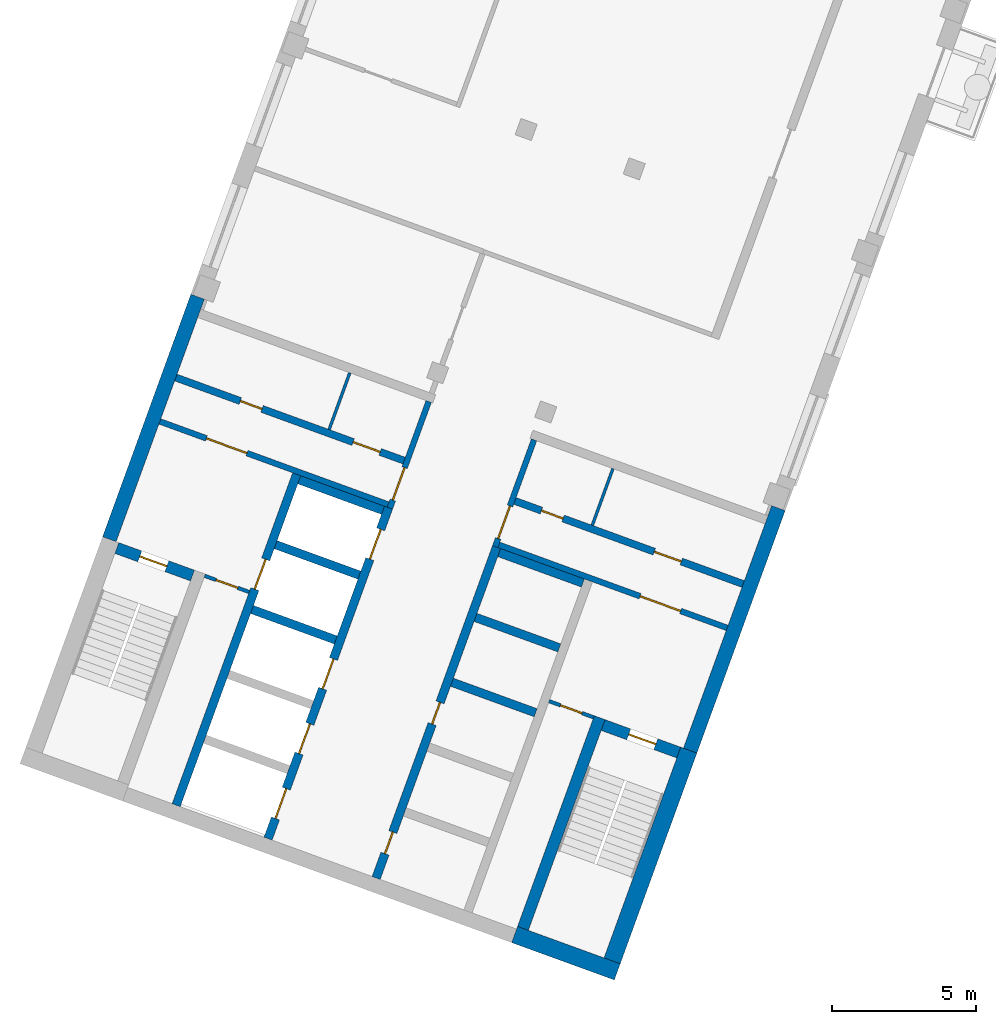
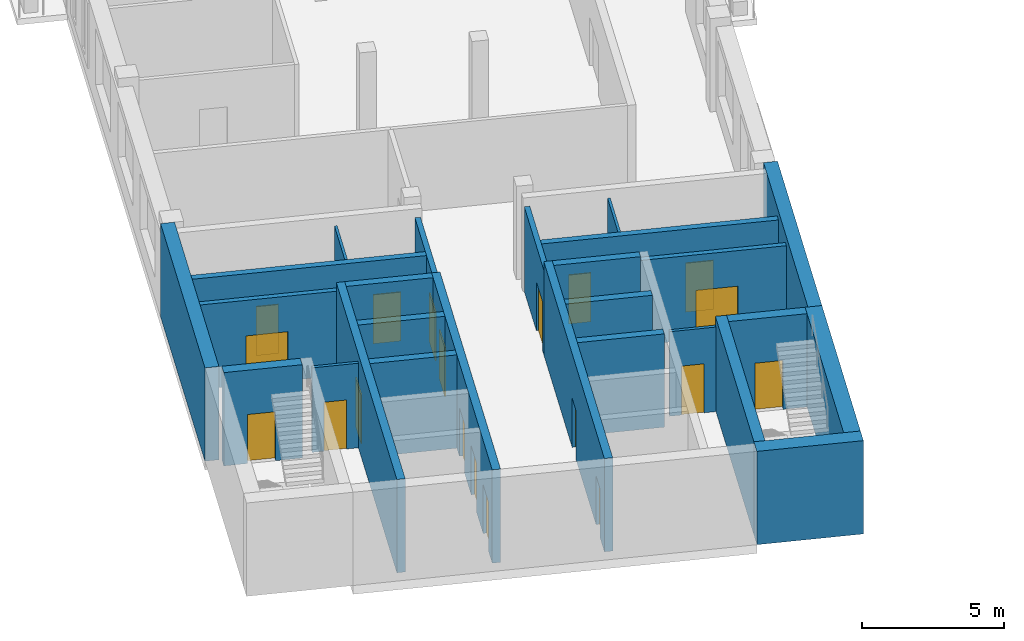
# One storey, part 2 of 10: 26 walls, 19 doors, 19 openings.
"""IFC4 building model written with IfcOpenShell, lengths in metres."""

from ifc_helpers import new_model, si_unit, direction, frame, frame_2d, origin, place, context, subcontext, project, spatial, rectangle, extrude, material, layer, layer_set, type_object, element, fill, save


model = new_model("IFC4")

# Units and contexts
model_context = context("Model", 3, precision=1e-05, world=origin(), true_north=direction((0.0, 1.0)))
body_context = subcontext(model_context, "Body", "Model", "MODEL_VIEW")
ifc_project = project(units=[si_unit("LENGTHUNIT", "METRE"), si_unit("AREAUNIT", "SQUARE_METRE"), si_unit("VOLUMEUNIT", "CUBIC_METRE"), si_unit("PLANEANGLEUNIT", "RADIAN"), si_unit("MASSUNIT", "GRAM", prefix="KILO")], contexts=[model_context])

# Site, building, storey
site_placement = place(None, origin())
site = spatial("IfcSite", under=ifc_project, at=site_placement, CompositionType="ELEMENT")
building_placement = place(site_placement, origin())
building = spatial("IfcBuilding", under=site, at=building_placement, Name="Skarvind Civic Tower", CompositionType="ELEMENT")
storey_placement = place(building_placement, frame((0.0, 0.0, 192.0)))
storey = spatial("IfcBuildingStorey", under=building, at=storey_placement, Name="L45", CompositionType="ELEMENT", Elevation=192.0)

# Wall, opening, door
ifc_material_1 = material(Name="Fire-rated masonry partition", Category="masonry")
ifc_layer_1 = layer(ifc_material_1, 0.199951171875)
ifc_layer_set_1 = layer_set([ifc_layer_1], Name="Core enclosure wall 200")
wall_type_1 = type_object("IfcWallType", Name="Core enclosure wall 200", PredefinedType="PARTITIONING", material=ifc_layer_set_1)
wall_1_placement = place(storey_placement, frame((31.42724609375, 93.663330078125, 0.0), z_axis=(0.0, 0.0, 1.0), x_axis=(0.342030870568, 0.93968871632, 0.0)))
wall_1 = element("IfcWall", 1, at=wall_1_placement, inside=storey, type_object=wall_type_1, Name="Core wall C2", PredefinedType="PARTITIONING", context=body_context, shape_type="SweptSolid", body=[
    extrude(rectangle(XDim=3.9501953125, YDim=0.199951171875, at=frame_2d((1.97509765625, 0.0))), origin(), (0.0, 0.0, 1.0), 3.625),
])
opening_1_placement = place(wall_1_placement, frame((0.300048828125, 0.0, 0.0)))
opening_1 = element("IfcOpeningElement", 2, at=opening_1_placement, cuts=wall_1, Name="Opening D-L45-C2-07", PredefinedType="OPENING", context=body_context, shape_type="SweptSolid", body=[
    extrude(rectangle(XDim=1.199951171875, YDim=2.10009765625, at=frame_2d((0.60009765625, 1.050048828125))), frame((0.0, 0.10986328125, 0.0), z_axis=(0.0, -1.0, 0.0), x_axis=(1.0, 0.0, 0.0)), (0.0, 0.0, 1.0), 0.219970703125),
])
ifc_material_2 = material(Name="Fire-rated steel door", Category="steel")
door_type_1 = type_object("IfcDoorType", Name="Core lobby door 1200", OperationType="NOTDEFINED", PredefinedType="DOOR", material=ifc_material_2)
door_1_placement = place(opening_1_placement, origin())
door_1 = element("IfcDoor", 3, at=door_1_placement, inside=storey, type_object=door_type_1, Name="Fire door", OperationType="DOUBLE_DOOR_SINGLE_SWING", OverallHeight=2.10009765625, OverallWidth=1.199951171875, PredefinedType="DOOR", context=body_context, shape_type="SweptSolid", body=[
    extrude(rectangle(XDim=1.199951171875, YDim=2.10009765625, at=frame_2d((0.60009765625, 1.050048828125))), frame((0.0, 0.02490234375, 0.0), z_axis=(0.0, -1.0, 0.0), x_axis=(1.0, 0.0, 0.0)), (0.0, 0.0, 1.0), 0.050048828125),
])
fill(opening_1, door_1)

wall_2_placement = place(storey_placement, frame((23.42724609375, 96.681640625, 0.0), z_axis=(0.0, 0.0, 1.0), x_axis=(0.939690465531, -0.342026064782, 0.0)))
wall_2 = element("IfcWall", 4, at=wall_2_placement, inside=storey, type_object=wall_type_1, Name="Core wall C2", PredefinedType="PARTITIONING", context=body_context, shape_type="SweptSolid", body=[
    extrude(rectangle(XDim=8.449951171875, YDim=0.199951171875, at=frame_2d((4.22509765625, 0.0))), origin(), (0.0, 0.0, 1.0), 3.625),
])
opening_2_placement = place(wall_2_placement, frame((1.72509765625, 0.0, 0.0)))
opening_2 = element("IfcOpeningElement", 5, at=opening_2_placement, cuts=wall_2, Name="Opening D-L45-C2-08", PredefinedType="OPENING", context=body_context, shape_type="SweptSolid", body=[
    extrude(rectangle(XDim=1.5, YDim=2.10009765625, at=frame_2d((0.75, 1.050048828125))), frame((0.0, 0.10986328125, 0.0), z_axis=(0.0, -1.0, 0.0), x_axis=(1.0, 0.0, 0.0)), (0.0, 0.0, 1.0), 0.219970703125),
])
door_type_2 = type_object("IfcDoorType", Name="Fire door 1500", OperationType="NOTDEFINED", PredefinedType="DOOR", material=ifc_material_2)
door_2_placement = place(opening_2_placement, origin())
door_2 = element("IfcDoor", 6, at=door_2_placement, inside=storey, type_object=door_type_2, Name="Fire door", OperationType="DOUBLE_DOOR_SINGLE_SWING", OverallHeight=2.10009765625, OverallWidth=1.5, PredefinedType="DOOR", context=body_context, shape_type="SweptSolid", body=[
    extrude(rectangle(XDim=1.5, YDim=2.10009765625, at=frame_2d((0.75, 1.050048828125))), frame((0.0, 0.02490234375, 0.0), z_axis=(0.0, -1.0, 0.0), x_axis=(1.0, 0.0, 0.0)), (0.0, 0.0, 1.0), 0.050048828125),
])
fill(opening_2, door_2)

wall_3_placement = place(storey_placement, frame((36.443115234375, 96.041259765625, 0.0), z_axis=(0.0, 0.0, 1.0), x_axis=(-0.341996156931, -0.939701350773, 0.0)))
wall_3 = element("IfcWall", 7, at=wall_3_placement, inside=storey, type_object=wall_type_1, Name="Core wall C2", PredefinedType="PARTITIONING", context=body_context, shape_type="SweptSolid", body=[
    extrude(rectangle(XDim=3.949951171875, YDim=0.199951171875, at=frame_2d((1.97509765625, 0.0))), origin(), (0.0, 0.0, 1.0), 3.625),
])
opening_3_placement = place(wall_3_placement, frame((2.449951171875, 0.0, 0.0)))
opening_3 = element("IfcOpeningElement", 8, at=opening_3_placement, cuts=wall_3, Name="Opening D-L45-C2-13", PredefinedType="OPENING", context=body_context, shape_type="SweptSolid", body=[
    extrude(rectangle(XDim=1.199951171875, YDim=2.10009765625, at=frame_2d((0.60009765625, 1.050048828125))), frame((0.0, 0.10986328125, 0.0), z_axis=(0.0, -1.0, 0.0), x_axis=(1.0, 0.0, 0.0)), (0.0, 0.0, 1.0), 0.219970703125),
])
door_3_placement = place(opening_3_placement, origin())
door_3 = element("IfcDoor", 9, at=door_3_placement, inside=storey, type_object=door_type_1, Name="Fire door", OperationType="DOUBLE_DOOR_SINGLE_SWING", OverallHeight=2.10009765625, OverallWidth=1.199951171875, PredefinedType="DOOR", context=body_context, shape_type="SweptSolid", body=[
    extrude(rectangle(XDim=1.199951171875, YDim=2.10009765625, at=frame_2d((0.60009765625, 1.050048828125))), frame((0.0, 0.02490234375, 0.0), z_axis=(0.0, -1.0, 0.0), x_axis=(1.0, 0.0, 0.0)), (0.0, 0.0, 1.0), 0.050048828125),
])
fill(opening_3, door_3)

wall_4_placement = place(storey_placement, frame((35.22021484375, 92.389404296875, 0.0), z_axis=(0.0, 0.0, 1.0), x_axis=(0.939690465531, -0.342026064782, 0.0)))
wall_4 = element("IfcWall", 10, at=wall_4_placement, inside=storey, type_object=wall_type_1, Name="Core wall C2", PredefinedType="PARTITIONING", context=body_context, shape_type="SweptSolid", body=[
    extrude(rectangle(XDim=8.449951171875, YDim=0.199951171875, at=frame_2d((4.22509765625, 0.0))), origin(), (0.0, 0.0, 1.0), 3.625),
])
opening_4_placement = place(wall_4_placement, frame((5.22509765625, 0.0, 0.0)))
opening_4 = element("IfcOpeningElement", 11, at=opening_4_placement, cuts=wall_4, Name="Opening D-L45-C2-14", PredefinedType="OPENING", context=body_context, shape_type="SweptSolid", body=[
    extrude(rectangle(XDim=1.5, YDim=2.10009765625, at=frame_2d((0.75, 1.050048828125))), frame((0.0, 0.10986328125, 0.0), z_axis=(0.0, -1.0, 0.0), x_axis=(1.0, 0.0, 0.0)), (0.0, 0.0, 1.0), 0.219970703125),
])
door_4_placement = place(opening_4_placement, origin())
door_4 = element("IfcDoor", 12, at=door_4_placement, inside=storey, type_object=door_type_2, Name="Fire door", OperationType="DOUBLE_DOOR_SINGLE_SWING", OverallHeight=2.10009765625, OverallWidth=1.5, PredefinedType="DOOR", context=body_context, shape_type="SweptSolid", body=[
    extrude(rectangle(XDim=1.5, YDim=2.10009765625, at=frame_2d((0.75, 1.050048828125))), frame((0.0, 0.02490234375, 0.0), z_axis=(0.0, -1.0, 0.0), x_axis=(1.0, 0.0, 0.0)), (0.0, 0.0, 1.0), 0.050048828125),
])
fill(opening_4, door_4)

# Walls
ifc_material_3 = material(Name="Fire-rated plasterboard partition")
ifc_layer_2 = layer(ifc_material_3, 0.10009765625)
ifc_layer_set_2 = layer_set([ifc_layer_2], Name="Core partition wall 100")
wall_type_2 = type_object("IfcWallType", Name="Core partition wall 100", PredefinedType="PARTITIONING", material=ifc_layer_set_2)
for number, where, z_axis, x_axis, name in (
    (13, (29.316162109375, 96.400390625, 0.0), (0.0, 0.0, 1.0), (0.342023078919, 0.939691552312, 0.0), "Core wall C2"),
    (14, (39.18701171875, 95.04248046875, 0.0), (0.0, 0.0, 1.0), (-0.342023078919, -0.939691552312, 0.0), "Core wall C2"),
):
    element("IfcWall", number, at=place(storey_placement, frame(where, z_axis=z_axis, x_axis=x_axis)), inside=storey, type_object=wall_type_2, Name=name, PredefinedType="PARTITIONING", context=body_context, shape_type="SweptSolid", body=[
        extrude(rectangle(XDim=2.10009765625, YDim=0.10009765625, at=frame_2d((1.050048828125, 0.0))), origin(), (0.0, 0.0, 1.0), 3.625),
    ])

# Wall, openings, doors
ifc_material_4 = material(Name="Concrete C60", Category="concrete")
ifc_layer_3 = layer(ifc_material_4, 0.300048828125)
ifc_layer_set_3 = layer_set([ifc_layer_3], Name="Core wall 300 C60")
wall_type_3 = type_object("IfcWallType", Name="Core wall 300 C60", PredefinedType="SHEAR", material=ifc_layer_set_3)
wall_5_placement = place(storey_placement, frame((30.949462890625, 80.80126953125, 0.0), z_axis=(0.0, 0.0, 1.0), x_axis=(0.342016684409, 0.939693879721, 0.0)))
wall_5 = element("IfcWall", 15, at=wall_5_placement, inside=storey, type_object=wall_type_3, Name="Core wall C2 south lift row front L45", PredefinedType="SHEAR", context=body_context, shape_type="SweptSolid", body=[
    extrude(rectangle(XDim=12.25, YDim=0.300048828125, at=frame_2d((6.125, 0.0))), origin(), (0.0, 0.0, 1.0), 4.0),
])
opening_5_placement = place(wall_5_placement, frame((0.89990234375, 0.0, 0.0)))
opening_5 = element("IfcOpeningElement", 16, at=opening_5_placement, cuts=wall_5, Name="Opening D-L45-C2-05", PredefinedType="OPENING", context=body_context, shape_type="SweptSolid", body=[
    extrude(rectangle(XDim=0.800048828125, YDim=2.10009765625, at=frame_2d((0.39990234375, 1.050048828125))), frame((0.0, 0.159912109375, 0.0), z_axis=(0.0, -1.0, 0.0), x_axis=(1.0, 0.0, 0.0)), (0.0, 0.0, 1.0), 0.320068359375),
])
opening_6_placement = place(wall_5_placement, frame((5.699951171875, 0.0, 0.0)))
opening_6 = element("IfcOpeningElement", 17, at=opening_6_placement, cuts=wall_5, Name="Opening D-L45-C2-06", PredefinedType="OPENING", context=body_context, shape_type="SweptSolid", body=[
    extrude(rectangle(XDim=0.800048828125, YDim=2.10009765625, at=frame_2d((0.39990234375, 1.050048828125))), frame((0.0, 0.159912109375, 0.0), z_axis=(0.0, -1.0, 0.0), x_axis=(1.0, 0.0, 0.0)), (0.0, 0.0, 1.0), 0.320068359375),
])
door_type_3 = type_object("IfcDoorType", Name="Core riser door 800", OperationType="NOTDEFINED", PredefinedType="DOOR", material=ifc_material_2)
door_5_placement = place(opening_5_placement, origin())
door_5 = element("IfcDoor", 18, at=door_5_placement, inside=storey, type_object=door_type_3, Name="Riser door", OperationType="SINGLE_SWING_LEFT", OverallHeight=2.10009765625, OverallWidth=0.800048828125, PredefinedType="DOOR", context=body_context, shape_type="SweptSolid", body=[
    extrude(rectangle(XDim=0.800048828125, YDim=2.10009765625, at=frame_2d((0.39990234375, 1.050048828125))), frame((0.0, 0.02490234375, 0.0), z_axis=(0.0, -1.0, 0.0), x_axis=(1.0, 0.0, 0.0)), (0.0, 0.0, 1.0), 0.050048828125),
])
fill(opening_5, door_5)
door_6_placement = place(opening_6_placement, origin())
door_6 = element("IfcDoor", 19, at=door_6_placement, inside=storey, type_object=door_type_3, Name="Riser door", OperationType="SINGLE_SWING_RIGHT", OverallHeight=2.10009765625, OverallWidth=0.800048828125, PredefinedType="DOOR", context=body_context, shape_type="SweptSolid", body=[
    extrude(rectangle(XDim=0.800048828125, YDim=2.10009765625, at=frame_2d((0.39990234375, 1.050048828125))), frame((0.0, 0.02490234375, 0.0), z_axis=(0.0, -1.0, 0.0), x_axis=(1.0, 0.0, 0.0)), (0.0, 0.0, 1.0), 0.050048828125),
])
fill(opening_6, door_6)

# Walls
for number, where, z_axis, x_axis, name in (
    (20, (36.500244140625, 86.54931640625, 0.0), (0.0, 0.0, 1.0), (-0.939689908313, 0.342027595692, 0.0), "Core wall C2 south lift row division 3 L45"),
    (21, (37.321044921875, 88.8046875, 0.0), (0.0, 0.0, 1.0), (-0.939689908313, 0.342027595692, 0.0), "Core wall C2 south lift row division 4 L45"),
    (22, (38.141845703125, 91.059814453125, 0.0), (0.0, 0.0, 1.0), (-0.939689908313, 0.342027595692, 0.0), "Core wall C2 south lift row division 5 L45"),
):
    element("IfcWall", number, at=place(storey_placement, frame(where, z_axis=z_axis, x_axis=x_axis)), inside=storey, type_object=wall_type_3, Name=name, PredefinedType="SHEAR", context=body_context, shape_type="SweptSolid", body=[
        extrude(rectangle(XDim=3.10009765625, YDim=0.300048828125, at=frame_2d((1.550048828125, 0.0))), origin(), (0.0, 0.0, 1.0), 4.0),
    ])

# Wall, openings, doors
wall_6_placement = place(storey_placement, frame((27.190673828125, 82.169189453125, 0.0), z_axis=(0.0, 0.0, 1.0), x_axis=(0.342016684409, 0.939693879721, 0.0)))
wall_6 = element("IfcWall", 23, at=wall_6_placement, inside=storey, type_object=wall_type_3, Name="Core wall C2 north lift row front L45", PredefinedType="SHEAR", context=body_context, shape_type="SweptSolid", body=[
    extrude(rectangle(XDim=12.25, YDim=0.300048828125, at=frame_2d((6.125, 0.0))), origin(), (0.0, 0.0, 1.0), 4.0),
])
opening_7_placement = place(wall_6_placement, frame((0.75, 0.0, 0.0)))
opening_7 = element("IfcOpeningElement", 24, at=opening_7_placement, cuts=wall_6, Name="Opening LD47201", PredefinedType="OPENING", context=body_context, shape_type="SweptSolid", body=[
    extrude(rectangle(XDim=1.10009765625, YDim=2.10009765625, at=frame_2d((0.550048828125, 1.050048828125))), frame((0.0, 0.159912109375, 0.0), z_axis=(0.0, -1.0, 0.0), x_axis=(1.0, 0.0, 0.0)), (0.0, 0.0, 1.0), 0.320068359375),
])
opening_8_placement = place(wall_6_placement, frame((3.14990234375, 0.0, 0.0)))
opening_8 = element("IfcOpeningElement", 25, at=opening_8_placement, cuts=wall_6, Name="Opening LD47202", PredefinedType="OPENING", context=body_context, shape_type="SweptSolid", body=[
    extrude(rectangle(XDim=1.10009765625, YDim=2.10009765625, at=frame_2d((0.550048828125, 1.050048828125))), frame((0.0, 0.159912109375, 0.0), z_axis=(0.0, -1.0, 0.0), x_axis=(1.0, 0.0, 0.0)), (0.0, 0.0, 1.0), 0.320068359375),
])
opening_9_placement = place(wall_6_placement, frame((5.550048828125, 0.0, 0.0)))
opening_9 = element("IfcOpeningElement", 26, at=opening_9_placement, cuts=wall_6, Name="Opening LD47203", PredefinedType="OPENING", context=body_context, shape_type="SweptSolid", body=[
    extrude(rectangle(XDim=1.10009765625, YDim=2.10009765625, at=frame_2d((0.550048828125, 1.050048828125))), frame((0.0, 0.159912109375, 0.0), z_axis=(0.0, -1.0, 0.0), x_axis=(1.0, 0.0, 0.0)), (0.0, 0.0, 1.0), 0.320068359375),
])
opening_10_placement = place(wall_6_placement, frame((10.35009765625, 0.0, 0.0)))
opening_10 = element("IfcOpeningElement", 27, at=opening_10_placement, cuts=wall_6, Name="Opening LD47205", PredefinedType="OPENING", context=body_context, shape_type="SweptSolid", body=[
    extrude(rectangle(XDim=1.10009765625, YDim=2.10009765625, at=frame_2d((0.550048828125, 1.050048828125))), frame((0.0, 0.159912109375, 0.0), z_axis=(0.0, -1.0, 0.0), x_axis=(1.0, 0.0, 0.0)), (0.0, 0.0, 1.0), 0.320068359375),
])
ifc_material_5 = material(Name="Stainless steel landing door", Category="steel")
door_type_4 = type_object("IfcDoorType", Name="Lift landing door 1100", OperationType="DOUBLE_DOOR_SLIDING", PredefinedType="DOOR", material=ifc_material_5)
door_7_placement = place(opening_7_placement, origin())
door_7 = element("IfcDoor", 28, at=door_7_placement, inside=storey, type_object=door_type_4, Name="Lift landing door", OperationType="DOUBLE_DOOR_SLIDING", OverallHeight=2.10009765625, OverallWidth=1.10009765625, PredefinedType="DOOR", context=body_context, shape_type="SweptSolid", body=[
    extrude(rectangle(XDim=1.10009765625, YDim=2.10009765625, at=frame_2d((0.550048828125, 1.050048828125))), frame((0.0, 0.02490234375, 0.0), z_axis=(0.0, -1.0, 0.0), x_axis=(1.0, 0.0, 0.0)), (0.0, 0.0, 1.0), 0.050048828125),
])
fill(opening_7, door_7)
door_8_placement = place(opening_8_placement, origin())
door_8 = element("IfcDoor", 29, at=door_8_placement, inside=storey, type_object=door_type_4, Name="Lift landing door", OperationType="DOUBLE_DOOR_SLIDING", OverallHeight=2.10009765625, OverallWidth=1.10009765625, PredefinedType="DOOR", context=body_context, shape_type="SweptSolid", body=[
    extrude(rectangle(XDim=1.10009765625, YDim=2.10009765625, at=frame_2d((0.550048828125, 1.050048828125))), frame((0.0, 0.02490234375, 0.0), z_axis=(0.0, -1.0, 0.0), x_axis=(1.0, 0.0, 0.0)), (0.0, 0.0, 1.0), 0.050048828125),
])
fill(opening_8, door_8)
door_9_placement = place(opening_9_placement, origin())
door_9 = element("IfcDoor", 30, at=door_9_placement, inside=storey, type_object=door_type_4, Name="Lift landing door", OperationType="DOUBLE_DOOR_SLIDING", OverallHeight=2.10009765625, OverallWidth=1.10009765625, PredefinedType="DOOR", context=body_context, shape_type="SweptSolid", body=[
    extrude(rectangle(XDim=1.10009765625, YDim=2.10009765625, at=frame_2d((0.550048828125, 1.050048828125))), frame((0.0, 0.02490234375, 0.0), z_axis=(0.0, -1.0, 0.0), x_axis=(1.0, 0.0, 0.0)), (0.0, 0.0, 1.0), 0.050048828125),
])
fill(opening_9, door_9)
door_10_placement = place(opening_10_placement, origin())
door_10 = element("IfcDoor", 31, at=door_10_placement, inside=storey, type_object=door_type_4, Name="Lift landing door", OperationType="DOUBLE_DOOR_SLIDING", OverallHeight=2.10009765625, OverallWidth=1.10009765625, PredefinedType="DOOR", context=body_context, shape_type="SweptSolid", body=[
    extrude(rectangle(XDim=1.10009765625, YDim=2.10009765625, at=frame_2d((0.550048828125, 1.050048828125))), frame((0.0, 0.02490234375, 0.0), z_axis=(0.0, -1.0, 0.0), x_axis=(1.0, 0.0, 0.0)), (0.0, 0.0, 1.0), 0.050048828125),
])
fill(opening_10, door_10)

# Wall, opening, door
wall_7_placement = place(storey_placement, frame((23.99560546875, 83.33203125, 0.0), z_axis=(0.0, 0.0, 1.0), x_axis=(0.342016684409, 0.939693879721, 0.0)))
wall_7 = element("IfcWall", 32, at=wall_7_placement, inside=storey, type_object=wall_type_3, Name="Core wall C2 north lift row back L45", PredefinedType="SHEAR", context=body_context, shape_type="SweptSolid", body=[
    extrude(rectangle(XDim=12.25, YDim=0.300048828125, at=frame_2d((6.125, 0.0))), origin(), (0.0, 0.0, 1.0), 4.0),
])
opening_11_placement = place(wall_7_placement, frame((8.0, 0.0, 0.0)))
opening_11 = element("IfcOpeningElement", 33, at=opening_11_placement, cuts=wall_7, Name="Opening LD47204", PredefinedType="OPENING", context=body_context, shape_type="SweptSolid", body=[
    extrude(rectangle(XDim=1.10009765625, YDim=2.10009765625, at=frame_2d((0.550048828125, 1.050048828125))), frame((0.0, 0.159912109375, 0.0), z_axis=(0.0, -1.0, 0.0), x_axis=(1.0, 0.0, 0.0)), (0.0, 0.0, 1.0), 0.320068359375),
])
door_11_placement = place(opening_11_placement, origin())
door_11 = element("IfcDoor", 34, at=door_11_placement, inside=storey, type_object=door_type_4, Name="Lift landing door", OperationType="DOUBLE_DOOR_SLIDING", OverallHeight=2.10009765625, OverallWidth=1.10009765625, PredefinedType="DOOR", context=body_context, shape_type="SweptSolid", body=[
    extrude(rectangle(XDim=1.10009765625, YDim=2.10009765625, at=frame_2d((0.550048828125, 1.050048828125))), frame((0.0, 0.02490234375, 0.0), z_axis=(0.0, -1.0, 0.0), x_axis=(1.0, 0.0, 0.0)), (0.0, 0.0, 1.0), 0.050048828125),
])
fill(opening_11, door_11)

# Walls
wall_8_placement = place(storey_placement, frame((29.54638671875, 89.080322265625, 0.0), z_axis=(0.0, 0.0, 1.0), x_axis=(-0.939689908313, 0.342027595692, 0.0)))
element("IfcWall", 35, at=wall_8_placement, inside=storey, type_object=wall_type_3, Name="Core wall C2 north lift row division 3 L45", PredefinedType="SHEAR", context=body_context, shape_type="SweptSolid", body=[
    extrude(rectangle(XDim=3.10009765625, YDim=0.300048828125, at=frame_2d((1.550048828125, 0.0))), origin(), (0.0, 0.0, 1.0), 4.0),
])
for number, where, z_axis, x_axis, name in (
    (36, (30.3671875, 91.335693359375, 0.0), (0.0, 0.0, 1.0), (-0.939715217871, 0.341958051961, 0.0), "Core wall C2 north lift row division 4 L45"),
    (37, (31.18798828125, 93.5908203125, 0.0), (0.0, 0.0, 1.0), (-0.939680694448, 0.342052908892, 0.0), "Core wall C2 north lift row division 5 L45"),
):
    element("IfcWall", number, at=place(storey_placement, frame(where, z_axis=z_axis, x_axis=x_axis)), inside=storey, type_object=wall_type_3, Name=name, PredefinedType="SHEAR", context=body_context, shape_type="SweptSolid", body=[
        extrude(rectangle(XDim=3.099853515625, YDim=0.300048828125, at=frame_2d((1.5498046875, 0.0))), origin(), (0.0, 0.0, 1.0), 4.0),
    ])
ifc_layer_4 = layer(ifc_material_4, 0.39990234375)
ifc_layer_set_4 = layer_set([ifc_layer_4], Name="Core wall 400 C60")
wall_type_4 = type_object("IfcWallType", Name="Core wall 400 C60", PredefinedType="SHEAR", material=ifc_layer_set_4)
wall_9_placement = place(storey_placement, frame((36.057861328125, 79.04833984375, 0.0), z_axis=(0.0, 0.0, 1.0), x_axis=(0.342016982193, 0.939693771338, 0.0)))
element("IfcWall", 38, at=wall_9_placement, inside=storey, type_object=wall_type_4, Name="Core wall C2 south stair inner L45", PredefinedType="SHEAR", context=body_context, shape_type="SweptSolid", body=[
    extrude(rectangle(XDim=7.800048828125, YDim=0.39990234375, at=frame_2d((3.89990234375, 0.0))), origin(), (0.0, 0.0, 1.0), 4.0),
])

# Wall, opening, door
wall_10_placement = place(storey_placement, frame((41.476318359375, 85.163818359375, 0.0), z_axis=(0.0, 0.0, 1.0), x_axis=(-0.939678810556, 0.342058084236, 0.0)))
wall_10 = element("IfcWall", 39, at=wall_10_placement, inside=storey, type_object=wall_type_4, Name="Core wall C2 south stair end L45", PredefinedType="SHEAR", context=body_context, shape_type="SweptSolid", body=[
    extrude(rectangle(XDim=2.800048828125, YDim=0.39990234375, at=frame_2d((1.39990234375, 0.0))), origin(), (0.0, 0.0, 1.0), 4.0),
])
opening_12_placement = place(wall_10_placement, frame((0.85009765625, 0.0, 0.0)))
opening_12 = element("IfcOpeningElement", 40, at=opening_12_placement, cuts=wall_10, Name="Opening D-L45-C2-15", PredefinedType="OPENING", context=body_context, shape_type="SweptSolid", body=[
    extrude(rectangle(XDim=1.0, YDim=2.10009765625, at=frame_2d((0.5, 1.050048828125))), frame((0.0, 0.2099609375, 0.0), z_axis=(0.0, -1.0, 0.0), x_axis=(1.0, 0.0, 0.0)), (0.0, 0.0, 1.0), 0.419921875),
])
door_type_5 = type_object("IfcDoorType", Name="Fire door 1000", OperationType="NOTDEFINED", PredefinedType="DOOR", material=ifc_material_2)
door_12_placement = place(opening_12_placement, origin())
door_12 = element("IfcDoor", 41, at=door_12_placement, inside=storey, type_object=door_type_5, Name="Fire door", OperationType="SINGLE_SWING_RIGHT", OverallHeight=2.10009765625, OverallWidth=1.0, PredefinedType="DOOR", context=body_context, shape_type="SweptSolid", body=[
    extrude(rectangle(XDim=1.0, YDim=2.10009765625, at=frame_2d((0.5, 1.050048828125))), frame((0.0, 0.02490234375, 0.0), z_axis=(0.0, -1.0, 0.0), x_axis=(1.0, 0.0, 0.0)), (0.0, 0.0, 1.0), 0.050048828125),
])
fill(opening_12, door_12)

wall_11_placement = place(storey_placement, frame((24.56201171875, 91.3203125, 0.0), z_axis=(0.0, 0.0, 1.0), x_axis=(-0.939717030584, 0.341953070509, 0.0)))
wall_11 = element("IfcWall", 42, at=wall_11_placement, inside=storey, type_object=wall_type_4, Name="Core wall C2 north stair end L45", PredefinedType="SHEAR", context=body_context, shape_type="SweptSolid", body=[
    extrude(rectangle(XDim=2.800048828125, YDim=0.39990234375, at=frame_2d((1.39990234375, 0.0))), origin(), (0.0, 0.0, 1.0), 4.0),
])
opening_13_placement = place(wall_11_placement, frame((0.949951171875, 0.0, 0.0)))
opening_13 = element("IfcOpeningElement", 43, at=opening_13_placement, cuts=wall_11, Name="Opening D-L45-C2-09", PredefinedType="OPENING", context=body_context, shape_type="SweptSolid", body=[
    extrude(rectangle(XDim=1.0, YDim=2.10009765625, at=frame_2d((0.5, 1.050048828125))), frame((0.0, 0.2099609375, 0.0), z_axis=(0.0, -1.0, 0.0), x_axis=(1.0, 0.0, 0.0)), (0.0, 0.0, 1.0), 0.419921875),
])
door_13_placement = place(opening_13_placement, origin())
door_13 = element("IfcDoor", 44, at=door_13_placement, inside=storey, type_object=door_type_5, Name="Fire door", OperationType="SINGLE_SWING_LEFT", OverallHeight=2.10009765625, OverallWidth=1.0, PredefinedType="DOOR", context=body_context, shape_type="SweptSolid", body=[
    extrude(rectangle(XDim=1.0, YDim=2.10009765625, at=frame_2d((0.5, 1.050048828125))), frame((0.0, 0.02490234375, 0.0), z_axis=(0.0, -1.0, 0.0), x_axis=(1.0, 0.0, 0.0)), (0.0, 0.0, 1.0), 0.050048828125),
])
fill(opening_13, door_13)

# Walls
ifc_layer_5 = layer(ifc_material_4, 0.5)
ifc_layer_set_5 = layer_set([ifc_layer_5], Name="Core wall 500 C60")
wall_type_5 = type_object("IfcWallType", Name="Core wall 500 C60", PredefinedType="SHEAR", material=ifc_layer_set_5)
wall_12_placement = place(storey_placement, frame((41.873779296875, 85.232177734375, 0.0), z_axis=(0.0, 0.0, 1.0), x_axis=(0.342020437038, 0.939692513883, 0.0)))
element("IfcWall", 45, at=wall_12_placement, inside=storey, type_object=wall_type_5, Name="Core wall C2 south side L45", PredefinedType="SHEAR", context=body_context, shape_type="SweptSolid", body=[
    extrude(rectangle(XDim=8.974853515625, YDim=0.5, at=frame_2d((4.4873046875, 0.0))), origin(), (0.0, 0.0, 1.0), 4.0),
])
wall_13_placement = place(storey_placement, frame((21.670166015625, 92.58544921875, 0.0), z_axis=(0.0, 0.0, 1.0), x_axis=(0.342035714298, 0.93968695327, 0.0)))
element("IfcWall", 46, at=wall_13_placement, inside=storey, type_object=wall_type_5, Name="Core wall C2 north side L45", PredefinedType="SHEAR", context=body_context, shape_type="SweptSolid", body=[
    extrude(rectangle(XDim=8.97509765625, YDim=0.5, at=frame_2d((4.487548828125, 0.0))), origin(), (0.0, 0.0, 1.0), 4.0),
])
ifc_layer_6 = layer(ifc_material_4, 0.60009765625)
ifc_layer_set_6 = layer_set([ifc_layer_6], Name="Core wall 600 C60")
wall_type_6 = type_object("IfcWallType", Name="Core wall 600 C60", PredefinedType="SHEAR", material=ifc_layer_set_6)
wall_14_placement = place(storey_placement, frame((39.338134765625, 77.53515625, 0.0), z_axis=(0.0, 0.0, 1.0), x_axis=(-0.939701471648, 0.341995824804, 0.0)))
element("IfcWall", 47, at=wall_14_placement, inside=storey, type_object=wall_type_6, Name="Core wall C2 tip at the south stair L45", PredefinedType="SHEAR", context=body_context, shape_type="SweptSolid", body=[
    extrude(rectangle(XDim=3.800048828125, YDim=0.60009765625, at=frame_2d((1.89990234375, 0.0))), origin(), (0.0, 0.0, 1.0), 4.0),
])
wall_15_placement = place(storey_placement, frame((39.158935546875, 77.919677734375, 0.0), z_axis=(0.0, 0.0, 1.0), x_axis=(0.342016982193, 0.939693771338, 0.0)))
element("IfcWall", 48, at=wall_15_placement, inside=storey, type_object=wall_type_6, Name="Core wall C2 south side at the stair L45", PredefinedType="SHEAR", context=body_context, shape_type="SweptSolid", body=[
    extrude(rectangle(XDim=7.800048828125, YDim=0.60009765625, at=frame_2d((3.89990234375, 0.0))), origin(), (0.0, 0.0, 1.0), 4.0),
])

# Wall, opening, door
ifc_layer_7 = layer(ifc_material_1, 0.125)
ifc_layer_set_7 = layer_set([ifc_layer_7], Name="Riser wall 125")
wall_type_7 = type_object("IfcWallType", Name="Riser wall 125", PredefinedType="PARTITIONING", material=ifc_layer_set_7)
wall_16_placement = place(storey_placement, frame((24.98486328125, 91.3125, 0.0), z_axis=(0.0, 0.0, 1.0), x_axis=(0.939719959755, -0.341945020783, 0.0)))
wall_16 = element("IfcWall", 49, at=wall_16_placement, inside=storey, type_object=wall_type_7, Name="Core wall C2", PredefinedType="PARTITIONING", context=body_context, shape_type="SweptSolid", body=[
    extrude(rectangle(XDim=1.64990234375, YDim=0.125, at=frame_2d((0.824951171875, 0.0))), origin(), (0.0, 0.0, 1.0), 3.625),
])
opening_14_placement = place(wall_16_placement, frame((0.425048828125, 0.0, 0.0)))
opening_14 = element("IfcOpeningElement", 50, at=opening_14_placement, cuts=wall_16, Name="Opening D-L45-C2-10", PredefinedType="OPENING", context=body_context, shape_type="SweptSolid", body=[
    extrude(rectangle(XDim=0.800048828125, YDim=2.10009765625, at=frame_2d((0.39990234375, 1.050048828125))), frame((0.0, 0.072509765625, 0.0), z_axis=(0.0, -1.0, 0.0), x_axis=(1.0, 0.0, 0.0)), (0.0, 0.0, 1.0), 0.14501953125),
])
door_14_placement = place(opening_14_placement, origin())
door_14 = element("IfcDoor", 51, at=door_14_placement, inside=storey, type_object=door_type_3, Name="Riser door", OperationType="SINGLE_SWING_RIGHT", OverallHeight=2.10009765625, OverallWidth=0.800048828125, PredefinedType="DOOR", context=body_context, shape_type="SweptSolid", body=[
    extrude(rectangle(XDim=0.800048828125, YDim=2.10009765625, at=frame_2d((0.39990234375, 1.050048828125))), frame((0.0, 0.02490234375, 0.0), z_axis=(0.0, -1.0, 0.0), x_axis=(1.0, 0.0, 0.0)), (0.0, 0.0, 1.0), 0.050048828125),
])
fill(opening_14, door_14)

wall_17_placement = place(storey_placement, frame((36.9658203125, 86.951904296875, 0.0), z_axis=(0.0, 0.0, 1.0), x_axis=(0.939672407396, -0.342075674051, 0.0)))
wall_17 = element("IfcWall", 52, at=wall_17_placement, inside=storey, type_object=wall_type_7, Name="Core wall C2", PredefinedType="PARTITIONING", context=body_context, shape_type="SweptSolid", body=[
    extrude(rectangle(XDim=1.650146484375, YDim=0.125, at=frame_2d((0.8251953125, 0.0))), origin(), (0.0, 0.0, 1.0), 3.625),
])
opening_15_placement = place(wall_17_placement, frame((0.425048828125, 0.0, 0.0)))
opening_15 = element("IfcOpeningElement", 53, at=opening_15_placement, cuts=wall_17, Name="Opening D-L45-C2-16", PredefinedType="OPENING", context=body_context, shape_type="SweptSolid", body=[
    extrude(rectangle(XDim=0.800048828125, YDim=2.10009765625, at=frame_2d((0.39990234375, 1.050048828125))), frame((0.0, 0.072509765625, 0.0), z_axis=(0.0, -1.0, 0.0), x_axis=(1.0, 0.0, 0.0)), (0.0, 0.0, 1.0), 0.14501953125),
])
door_15_placement = place(opening_15_placement, origin())
door_15 = element("IfcDoor", 54, at=door_15_placement, inside=storey, type_object=door_type_3, Name="Riser door", OperationType="SINGLE_SWING_LEFT", OverallHeight=2.10009765625, OverallWidth=0.800048828125, PredefinedType="DOOR", context=body_context, shape_type="SweptSolid", body=[
    extrude(rectangle(XDim=0.800048828125, YDim=2.10009765625, at=frame_2d((0.39990234375, 1.050048828125))), frame((0.0, 0.02490234375, 0.0), z_axis=(0.0, -1.0, 0.0), x_axis=(1.0, 0.0, 0.0)), (0.0, 0.0, 1.0), 0.050048828125),
])
fill(opening_15, door_15)

# Wall, openings, doors
ifc_layer_8 = layer(ifc_material_1, 0.25)
ifc_layer_set_8 = layer_set([ifc_layer_8], Name="Service block wall 250")
wall_type_8 = type_object("IfcWallType", Name="Service block wall 250", PredefinedType="PARTITIONING", material=ifc_layer_set_8)
wall_18_placement = place(storey_placement, frame((23.98291015625, 98.20849609375, 0.0), z_axis=(0.0, 0.0, 1.0), x_axis=(0.939699751196, -0.342000552051, 0.0)))
wall_18 = element("IfcWall", 55, at=wall_18_placement, inside=storey, type_object=wall_type_8, Name="Core wall C2", PredefinedType="PARTITIONING", context=body_context, shape_type="SweptSolid", body=[
    extrude(rectangle(XDim=8.449951171875, YDim=0.25, at=frame_2d((4.22509765625, 0.0))), origin(), (0.0, 0.0, 1.0), 3.625),
])
opening_16_placement = place(wall_18_placement, frame((6.56494140625, 0.0, 0.0)))
opening_16 = element("IfcOpeningElement", 56, at=opening_16_placement, cuts=wall_18, Name="Opening D-L45-C2-11", PredefinedType="OPENING", context=body_context, shape_type="SweptSolid", body=[
    extrude(rectangle(XDim=1.0, YDim=2.10009765625, at=frame_2d((0.5, 1.050048828125))), frame((0.0, 0.135009765625, 0.0), z_axis=(0.0, -1.0, 0.0), x_axis=(1.0, 0.0, 0.0)), (0.0, 0.0, 1.0), 0.27001953125),
])
opening_17_placement = place(wall_18_placement, frame((2.389892578125, 0.0, 0.0)))
opening_17 = element("IfcOpeningElement", 57, at=opening_17_placement, cuts=wall_18, Name="Opening D-L45-C2-12", PredefinedType="OPENING", context=body_context, shape_type="SweptSolid", body=[
    extrude(rectangle(XDim=0.800048828125, YDim=2.10009765625, at=frame_2d((0.39990234375, 1.050048828125))), frame((0.0, 0.135009765625, 0.0), z_axis=(0.0, -1.0, 0.0), x_axis=(1.0, 0.0, 0.0)), (0.0, 0.0, 1.0), 0.27001953125),
])
door_16_placement = place(opening_17_placement, origin())
door_16 = element("IfcDoor", 58, at=door_16_placement, inside=storey, type_object=door_type_3, Name="Riser door", OperationType="SINGLE_SWING_RIGHT", OverallHeight=2.10009765625, OverallWidth=0.800048828125, PredefinedType="DOOR", context=body_context, shape_type="SweptSolid", body=[
    extrude(rectangle(XDim=0.800048828125, YDim=2.10009765625, at=frame_2d((0.39990234375, 1.050048828125))), frame((0.0, 0.02490234375, 0.0), z_axis=(0.0, -1.0, 0.0), x_axis=(1.0, 0.0, 0.0)), (0.0, 0.0, 1.0), 0.050048828125),
])
fill(opening_17, door_16)
door_17_placement = place(opening_16_placement, origin())
door_17 = element("IfcDoor", 59, at=door_17_placement, inside=storey, type_object=door_type_5, Name="Fire door", OperationType="SINGLE_SWING_LEFT", OverallHeight=2.10009765625, OverallWidth=1.0, PredefinedType="DOOR", context=body_context, shape_type="SweptSolid", body=[
    extrude(rectangle(XDim=1.0, YDim=2.10009765625, at=frame_2d((0.5, 1.050048828125))), frame((0.0, 0.02490234375, 0.0), z_axis=(0.0, -1.0, 0.0), x_axis=(1.0, 0.0, 0.0)), (0.0, 0.0, 1.0), 0.050048828125),
])
fill(opening_16, door_17)

wall_19_placement = place(storey_placement, frame((35.776123046875, 93.916259765625, 0.0), z_axis=(0.0, 0.0, 1.0), x_axis=(0.939690465531, -0.342026064782, 0.0)))
wall_19 = element("IfcWall", 60, at=wall_19_placement, inside=storey, type_object=wall_type_8, Name="Core wall C2", PredefinedType="PARTITIONING", context=body_context, shape_type="SweptSolid", body=[
    extrude(rectangle(XDim=8.449951171875, YDim=0.25, at=frame_2d((4.22509765625, 0.0))), origin(), (0.0, 0.0, 1.0), 3.625),
])
opening_18_placement = place(wall_19_placement, frame((0.985107421875, 0.0, 0.0)))
opening_18 = element("IfcOpeningElement", 61, at=opening_18_placement, cuts=wall_19, Name="Opening D-L45-C2-17", PredefinedType="OPENING", context=body_context, shape_type="SweptSolid", body=[
    extrude(rectangle(XDim=0.800048828125, YDim=2.10009765625, at=frame_2d((0.39990234375, 1.050048828125))), frame((0.0, 0.135009765625, 0.0), z_axis=(0.0, -1.0, 0.0), x_axis=(1.0, 0.0, 0.0)), (0.0, 0.0, 1.0), 0.27001953125),
])
opening_19_placement = place(wall_19_placement, frame((5.159912109375, 0.0, 0.0)))
opening_19 = element("IfcOpeningElement", 62, at=opening_19_placement, cuts=wall_19, Name="Opening D-L45-C2-18", PredefinedType="OPENING", context=body_context, shape_type="SweptSolid", body=[
    extrude(rectangle(XDim=1.0, YDim=2.10009765625, at=frame_2d((0.5, 1.050048828125))), frame((0.0, 0.135009765625, 0.0), z_axis=(0.0, -1.0, 0.0), x_axis=(1.0, 0.0, 0.0)), (0.0, 0.0, 1.0), 0.27001953125),
])
door_18_placement = place(opening_18_placement, origin())
door_18 = element("IfcDoor", 63, at=door_18_placement, inside=storey, type_object=door_type_3, Name="Riser door", OperationType="SINGLE_SWING_RIGHT", OverallHeight=2.10009765625, OverallWidth=0.800048828125, PredefinedType="DOOR", context=body_context, shape_type="SweptSolid", body=[
    extrude(rectangle(XDim=0.800048828125, YDim=2.10009765625, at=frame_2d((0.39990234375, 1.050048828125))), frame((0.0, 0.02490234375, 0.0), z_axis=(0.0, -1.0, 0.0), x_axis=(1.0, 0.0, 0.0)), (0.0, 0.0, 1.0), 0.050048828125),
])
fill(opening_18, door_18)
door_19_placement = place(opening_19_placement, origin())
door_19 = element("IfcDoor", 64, at=door_19_placement, inside=storey, type_object=door_type_5, Name="Fire door", OperationType="SINGLE_SWING_LEFT", OverallHeight=2.10009765625, OverallWidth=1.0, PredefinedType="DOOR", context=body_context, shape_type="SweptSolid", body=[
    extrude(rectangle(XDim=1.0, YDim=2.10009765625, at=frame_2d((0.5, 1.050048828125))), frame((0.0, 0.02490234375, 0.0), z_axis=(0.0, -1.0, 0.0), x_axis=(1.0, 0.0, 0.0)), (0.0, 0.0, 1.0), 0.050048828125),
])
fill(opening_19, door_19)

save(model, "model.ifc")
